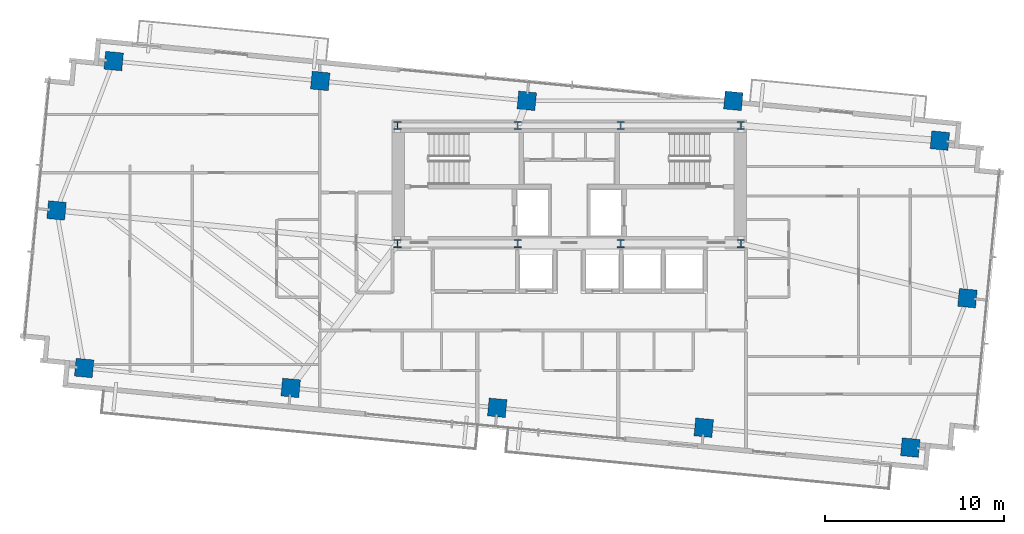
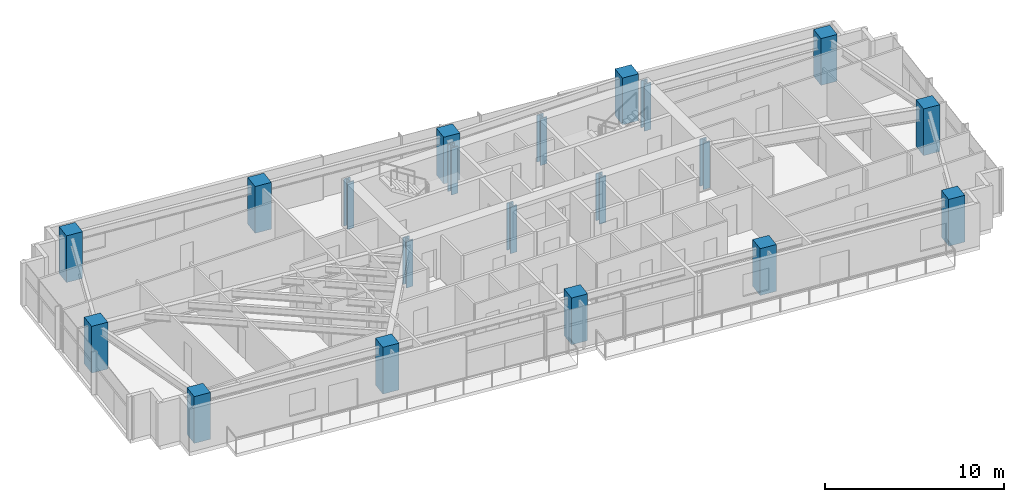
# One storey, part 1 of 19: 20 columns.
"""IFC4 building model written with IfcOpenShell, lengths in metres."""

from ifc_helpers import new_model, si_unit, direction, frame, origin, origin_2d, place, context, subcontext, project, spatial, rectangle, i_section, extrude, source, transform, mapped, material, material_profile, profile_set, type_object, type_shapes, element, save


model = new_model("IFC4")

# Units and contexts
model_context = context("Model", 3, precision=1e-05, world=origin(), true_north=direction((0.0, 1.0)))
body_context = subcontext(model_context, "Body", "Model", "MODEL_VIEW")
ifc_project = project(units=[si_unit("LENGTHUNIT", "METRE"), si_unit("AREAUNIT", "SQUARE_METRE"), si_unit("VOLUMEUNIT", "CUBIC_METRE"), si_unit("PLANEANGLEUNIT", "RADIAN"), si_unit("MASSUNIT", "GRAM", prefix="KILO")], contexts=[model_context])

# Site, building, storey
site_placement = place(None, origin())
site = spatial("IfcSite", under=ifc_project, at=site_placement, CompositionType="ELEMENT")
building_placement = place(site_placement, origin())
building = spatial("IfcBuilding", under=site, at=building_placement, Name="Astriad Promenade Condominiums", CompositionType="ELEMENT")
storey_placement = place(building_placement, frame((0.0, 0.0, 150.199951171875)))
storey = spatial("IfcBuildingStorey", under=building, at=storey_placement, Name="L43", CompositionType="ELEMENT", Elevation=150.199951171875)

# Columns
ifc_material_1 = material(Name="Steel ASTM A992 Grade 50", Category="steel")
ifc_material_profile_1 = material_profile(ifc_material_1, i_section(OverallWidth=0.42138671875, OverallDepth=0.464599609375, WebThickness=0.044921875, FlangeThickness=0.072509765625, FilletRadius=0.017822265625, at=origin_2d()), Name="W14X398")
ifc_profile_set_1 = profile_set([ifc_material_profile_1], Name="Steel ASTM A992 Grade 50")
column_type_1 = type_object("IfcColumnType", Name="STEEL CORE PILASTER W14X398", PredefinedType="PILASTER", material=ifc_profile_set_1)
shared_shape_1 = source(origin(), body_context, "Body", "SweptSolid", [
    extrude(i_section(OverallWidth=0.42138671875, OverallDepth=0.464599609375, WebThickness=0.044921875, FlangeThickness=0.072509765625, FilletRadius=0.017822265625, at=origin_2d()), origin(), (0.0, 0.0, 1.0), 3.196044921875),
])
type_shapes(column_type_1, [shared_shape_1])
for number, where, z_axis, x_axis, name in (
    (1, (26.39990234375, 17.39990234375, 0.001953125), (0.0, 0.0, 1.0), (1.0, 0.0, 0.0), "Core Pilaster Column CP1 (L43)"),
    (2, (33.1201171875, 17.39990234375, 0.001953125), (0.0, 0.0, 1.0), (1.0, 0.0, 0.0), "Core Pilaster Column CP2 (L43)"),
    (3, (38.8798828125, 17.39990234375, 0.001953125), (0.0, 0.0, 1.0), (1.0, 0.0, 0.0), "Core Pilaster Column CP3 (L43)"),
    (4, (45.60009765625, 17.39990234375, 0.001953125), (0.0, 0.0, 1.0), (1.0, 0.0, 0.0), "Core Pilaster Column CP4 (L43)"),
    (5, (26.39990234375, 24.0, 0.001953125), (0.0, 0.0, 1.0), (1.0, 0.0, 0.0), "Core Pilaster Column CP5 (L43)"),
    (6, (33.1201171875, 24.0, 0.001953125), (0.0, 0.0, 1.0), (1.0, 0.0, 0.0), "Core Pilaster Column CP6 (L43)"),
    (7, (38.8798828125, 24.0, 0.001953125), (0.0, 0.0, 1.0), (1.0, 0.0, 0.0), "Core Pilaster Column CP7 (L43)"),
    (8, (45.60009765625, 24.0, 0.001953125), (0.0, 0.0, 1.0), (1.0, 0.0, 0.0), "Core Pilaster Column CP8 (L43)"),
):
    element("IfcColumn", number, at=place(storey_placement, frame(where, z_axis=z_axis, x_axis=x_axis)), inside=storey, type_object=column_type_1, Name=name, PredefinedType="PILASTER", context=body_context, shape_type="MappedRepresentation", body=[
        mapped(shared_shape_1, transform((0.0, 0.0, 0.0), scale=1.0)),
    ])
ifc_material_2 = material(Name="Concrete C60/75", Category="concrete")
ifc_material_profile_2 = material_profile(ifc_material_2, rectangle(XDim=1.0, YDim=1.0, at=origin_2d()), Name="RC-COL-1000X1000")
ifc_profile_set_2 = profile_set([ifc_material_profile_2], Name="Concrete C60/75")
column_type_2 = type_object("IfcColumnType", Name="CONCRETE TOWER COLUMN 1000X1000", PredefinedType="COLUMN", material=ifc_profile_set_2)
shared_shape_2 = source(origin(), body_context, "Body", "SweptSolid", [
    extrude(rectangle(XDim=1.0, YDim=1.0, at=origin_2d()), origin(), (0.0, 0.0, 1.0), 3.196044921875),
])
type_shapes(column_type_2, [shared_shape_2])
for number, where, z_axis, x_axis, name in (
    (9, (8.880615234375, 10.443359375, 0.001953125), (0.0, 0.0, 1.0), (0.995396198367, -0.09584575252, 0.0), "Perimeter Column PC01 (L43)"),
    (10, (20.42724609375, 9.33154296875, 0.001953125), (0.0, 0.0, 1.0), (0.995396198367, -0.09584575252, 0.0), "Perimeter Column PC02 (L43)"),
    (11, (31.973876953125, 8.2197265625, 0.001953125), (0.0, 0.0, 1.0), (0.995396198367, -0.09584575252, 0.0), "Perimeter Column PC03 (L43)"),
    (12, (43.5205078125, 7.10791015625, 0.001953125), (0.0, 0.0, 1.0), (0.995396198367, -0.09584575252, 0.0), "Perimeter Column PC04 (L43)"),
    (13, (55.06689453125, 5.99609375, 0.001953125), (0.0, 0.0, 1.0), (0.995396198367, -0.09584575252, 0.0), "Perimeter Column PC05 (L43)"),
    (14, (10.532958984375, 27.60400390625, 0.001953125), (0.0, 0.0, 1.0), (0.995396198367, -0.09584575252, 0.0), "Perimeter Column PC06 (L43)"),
    (15, (22.07958984375, 26.4921875, 0.001953125), (0.0, 0.0, 1.0), (0.995396198367, -0.09584575252, 0.0), "Perimeter Column PC07 (L43)"),
    (16, (33.626220703125, 25.38037109375, 0.001953125), (0.0, 0.0, 1.0), (0.995396198367, -0.09584575252, 0.0), "Perimeter Column PC08 (L43)"),
    (17, (45.1728515625, 25.3798828125, 0.001953125), (0.0, 0.0, 1.0), (0.995396198367, -0.09584575252, 0.0), "Perimeter Column PC09 (L43)"),
    (18, (56.719482421875, 23.15673828125, 0.001953125), (0.0, 0.0, 1.0), (0.995396198367, -0.09584575252, 0.0), "Perimeter Column PC10 (L43)"),
    (19, (7.337890625, 19.251708984375, 0.001953125), (0.0, 0.0, 1.0), (0.995396198367, -0.09584575252, 0.0), "Perimeter Column PC11 (L43)"),
    (20, (58.26220703125, 14.348388671875, 0.001953125), (0.0, 0.0, 1.0), (0.995396198367, -0.09584575252, 0.0), "Perimeter Column PC12 (L43)"),
):
    element("IfcColumn", number, at=place(storey_placement, frame(where, z_axis=z_axis, x_axis=x_axis)), inside=storey, type_object=column_type_2, Name=name, PredefinedType="COLUMN", context=body_context, shape_type="MappedRepresentation", body=[
        mapped(shared_shape_2, transform((0.0, 0.0, 0.0), scale=1.0)),
    ])

save(model, "model.ifc")
